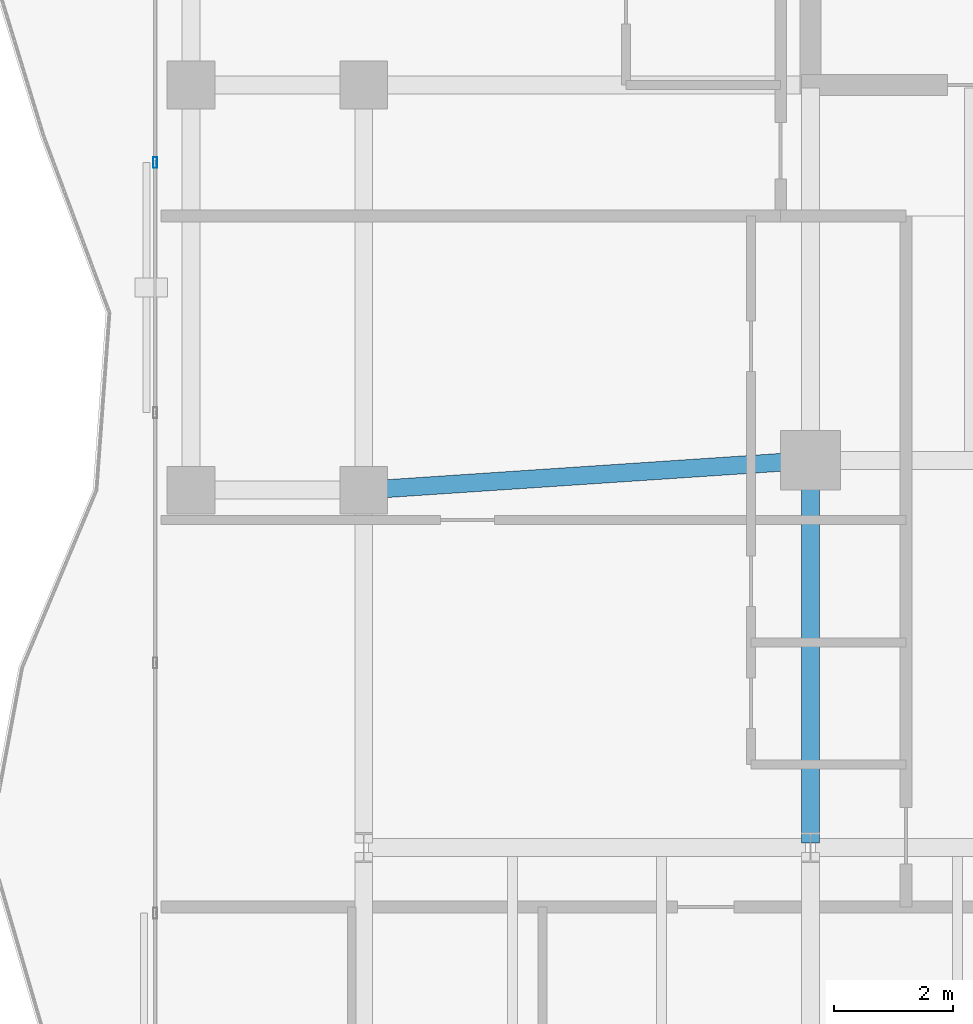
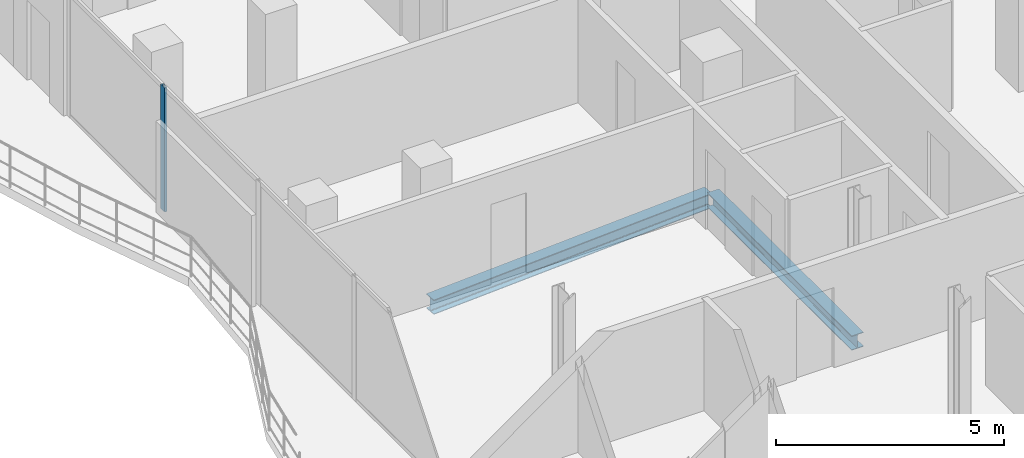
# One storey, part 8 of 24: 2 beams, 1 member, 1 element without a shape of its own.
"""IFC4 building model written with IfcOpenShell, lengths in metres."""

from ifc_helpers import new_model, si_unit, direction, frame, origin, origin_2d, place, context, subcontext, project, spatial, hollow_rectangle, i_section, extrude, material, layer, layer_set, material_profile, profile_set, type_object, element, aggregate, save


model = new_model("IFC4")

# Units and contexts
model_context = context("Model", 3, precision=1e-05, world=origin(), true_north=direction((0.0, 1.0)))
body_context = subcontext(model_context, "Body", "Model", "MODEL_VIEW")
ifc_project = project(units=[si_unit("LENGTHUNIT", "METRE"), si_unit("AREAUNIT", "SQUARE_METRE"), si_unit("VOLUMEUNIT", "CUBIC_METRE"), si_unit("PLANEANGLEUNIT", "RADIAN"), si_unit("MASSUNIT", "GRAM", prefix="KILO")], contexts=[model_context])

# Site, building, storey
site_placement = place(None, origin())
site = spatial("IfcSite", under=ifc_project, at=site_placement, CompositionType="ELEMENT")
building_placement = place(site_placement, origin())
building = spatial("IfcBuilding", under=site, at=building_placement, Name="Catumbela Crestline Tower", CompositionType="ELEMENT")
storey_placement = place(building_placement, frame((0.0, 0.0, 161.4)))
storey = spatial("IfcBuildingStorey", under=building, at=storey_placement, Name="L41", CompositionType="ELEMENT", Elevation=161.4)

# Beams
ifc_material_1 = material(Name="Structural steel S355J2", Category="steel")
ifc_material_profile_1 = material_profile(ifc_material_1, i_section(OverallWidth=0.3, OverallDepth=0.39, WebThickness=0.011, FlangeThickness=0.019, FilletRadius=0.027, at=origin_2d()), Name="HEA 400")
ifc_profile_set_1 = profile_set([ifc_material_profile_1], Name="Structural steel S355J2")
beam_type = type_object("IfcBeamType", Name="BG-HEA400", PredefinedType="BEAM", material=ifc_profile_set_1)
beam_1_placement = place(storey_placement, frame((8.5798, 24.0053, -0.455), z_axis=(0.997784796964, 0.066524423687, 0.0), x_axis=(-0.066524423687, 0.997784796964, 0.0)))
element("IfcBeam", 1, at=beam_1_placement, inside=storey, type_object=beam_type, Name="L41 Beam BM-L41-S02", PredefinedType="BEAM", context=body_context, shape_type="SweptSolid", body=[
    extrude(i_section(OverallWidth=0.3, OverallDepth=0.39, WebThickness=0.011, FlangeThickness=0.019, FilletRadius=0.027, at=origin_2d()), origin(), (0.0, 0.0, 1.0), 7.3567),
])
beam_2_placement = place(storey_placement, frame((16.0, 18.08, -0.455), z_axis=(0.0, 1.0, 0.0), x_axis=(-1.0, 0.0, 0.0)))
element("IfcBeam", 2, at=beam_2_placement, inside=storey, type_object=beam_type, Name="L41 Beam BM-L41-WNS42", PredefinedType="BEAM", context=body_context, shape_type="SweptSolid", body=[
    extrude(i_section(OverallWidth=0.3, OverallDepth=0.39, WebThickness=0.011, FlangeThickness=0.019, FilletRadius=0.027, at=origin_2d()), origin(), (0.0, 0.0, 1.0), 6.34),
])

# Curtain wall, member
ifc_material_2 = material(Name="Aluminium alloy AW-6060-T66", Category="aluminium")
ifc_layer = layer(ifc_material_2, 0.18, Name="Aluminium alloy AW-6060-T66")
ifc_layer_set = layer_set([ifc_layer], Name="Aluminium alloy AW-6060-T66")
curtain_wall_type = type_object("IfcCurtainWallType", Name="CWU-Z3", PredefinedType="USERDEFINED", material=ifc_layer_set)
curtain_wall_placement = place(storey_placement, origin())
curtain_wall = element("IfcCurtainWall", 3, at=curtain_wall_placement, inside=storey, type_object=curtain_wall_type, Name="L41 Unitised Curtain Wall CW-L41-E9S2", ObjectType="UNITISED", PredefinedType="USERDEFINED")
ifc_material_profile_2 = material_profile(ifc_material_2, hollow_rectangle(XDim=0.065, YDim=0.18, WallThickness=0.004, at=origin_2d()), Name="ALU 180x65x4")
ifc_profile_set_2 = profile_set([ifc_material_profile_2], Name="Aluminium alloy AW-6060-T66")
member_type = type_object("IfcMemberType", Name="MUL-180X65", PredefinedType="MULLION", material=ifc_profile_set_2)
member_placement = place(storey_placement, frame((5.0, 29.5, 0.0), z_axis=(0.0, 0.0, 1.0), x_axis=(1.0, 0.0, 0.0)))
member = element("IfcMember", 4, at=member_placement, type_object=member_type, Name="CWU-Z3 mullion 2", PredefinedType="MULLION", context=body_context, shape_type="SweptSolid", body=[
    extrude(hollow_rectangle(XDim=0.065, YDim=0.18, WallThickness=0.004, at=origin_2d()), origin(), (0.0, 0.0, 1.0), 3.33),
])
aggregate(curtain_wall, [member])

save(model, "model.ifc")
